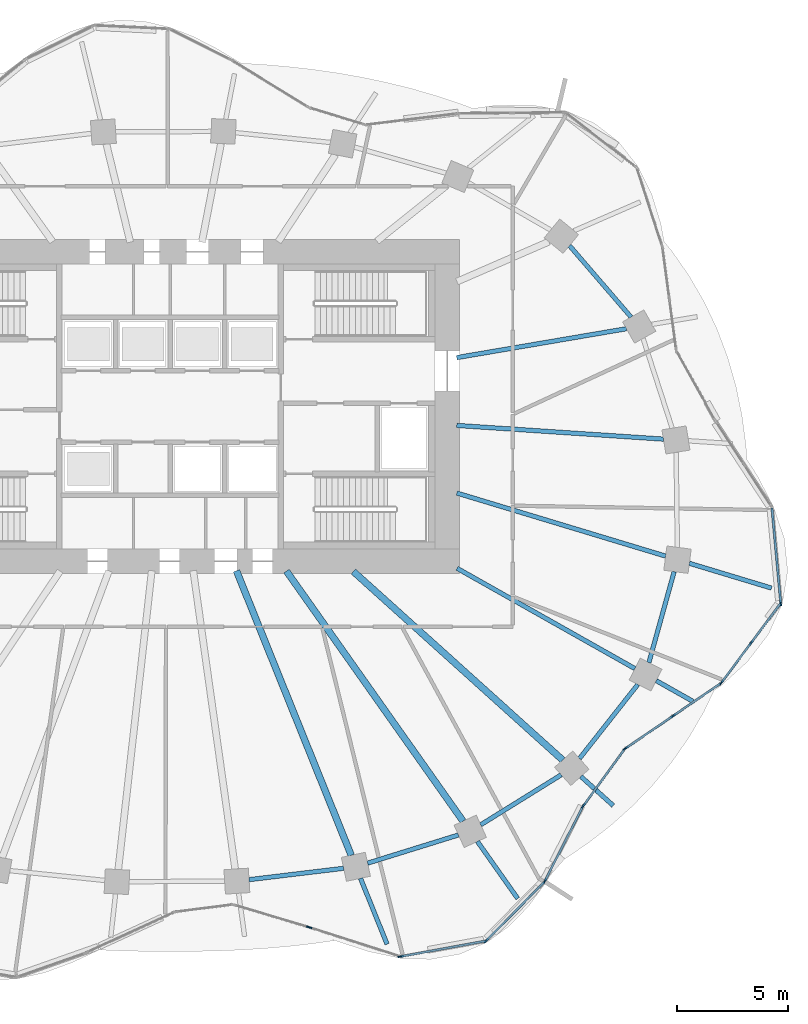
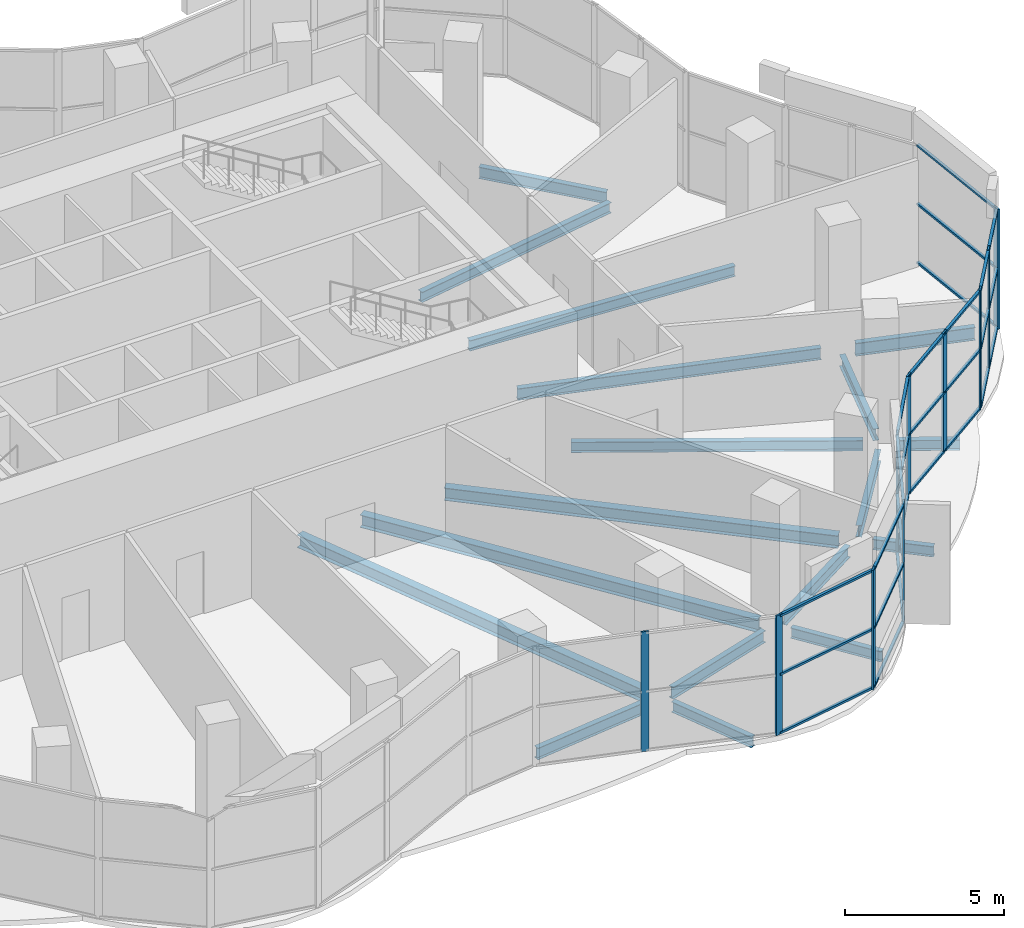
# One storey, part 5 of 16: 37 members, 18 beams, 8 elements without a shape of their own.
"""IFC4 building model written with IfcOpenShell, lengths in metres."""

import ifcopenshell
import ifcopenshell.guid

model = None  # the IFC model being written
_history = None  # IfcOwnerHistory: only IFC2X3 demands one
_inside = {}  # id of a spatial element -> (the spatial element, [elements in it])
_under = {}  # id of a project, library or spatial element -> (it, [spatial elements below it])
_declared = {}  # id of a project -> (the project, [libraries it declares])
_typed = {}  # id of a type object -> (the type object, [elements of that type])
_made_of = {}  # id of a material, layer set ... -> (it, [elements and type objects made of it])


def new_model(schema):
    """Start an empty IFC model of exactly this schema.

    Asked for "IFC4X3", IfcOpenShell would pick the latest addendum, in which some entities
    have other attributes; the version numbers below select the first issue.
    IFC2X3 requires an IfcOwnerHistory on every rooted entity: one is made here for all.
    """
    global model, _history
    if schema == "IFC4X3":
        model = ifcopenshell.file(schema_version=(4, 3, 0, 0))
    else:
        model = ifcopenshell.file(schema=schema)
    _inside.clear()
    _under.clear()
    _declared.clear()
    _typed.clear()
    _made_of.clear()
    _history = None
    if model.schema == "IFC2X3":
        org = make("IfcOrganization", Name="unknown")
        user = make(
            "IfcPersonAndOrganization",
            ThePerson=make("IfcPerson", FamilyName="unknown"),
            TheOrganization=org,
        )
        app = make(
            "IfcApplication",
            ApplicationDeveloper=org,
            Version="unknown",
            ApplicationFullName="unknown",
            ApplicationIdentifier="unknown",
        )
        _history = make(
            "IfcOwnerHistory",
            OwningUser=user,
            OwningApplication=app,
            ChangeAction="ADDED",
            CreationDate=0,
        )
    return model


def make(cls, **values):
    """One entity of the class cls with the attributes given. An attribute that is None is left unset."""
    return model.create_entity(
        cls, **{name: value for name, value in values.items() if value is not None}
    )


def rooted(cls, **values):
    """An entity with a GlobalId (a new one), such as an element, a storey or a relation."""
    return make(cls, GlobalId=ifcopenshell.guid.new(), OwnerHistory=_history, **values)


def si_unit(unit_type, name, prefix=None):
    """IfcSIUnit, for example si_unit("LENGTHUNIT", "METRE", prefix="MILLI")."""
    return make("IfcSIUnit", UnitType=unit_type, Prefix=prefix, Name=name)


def assignment(units):
    """IfcUnitAssignment: the units of a project."""
    return None if units is None else make("IfcUnitAssignment", Units=units)


def point(xyz):
    """IfcCartesianPoint."""
    return None if xyz is None else make("IfcCartesianPoint", Coordinates=xyz)


def direction(xyz):
    """IfcDirection."""
    return None if xyz is None else make("IfcDirection", DirectionRatios=xyz)


def frame(location, z_axis=None, x_axis=None):
    """IfcAxis2Placement3D, a coordinate frame: its origin and axes. An axis left out is left unset."""
    return make(
        "IfcAxis2Placement3D",
        Location=point(location),
        Axis=direction(z_axis),
        RefDirection=direction(x_axis),
    )


def frame_2d(location, x_axis=None):
    """IfcAxis2Placement2D, a coordinate frame in the plane: its origin and x axis."""
    return make(
        "IfcAxis2Placement2D", Location=point(location), RefDirection=direction(x_axis)
    )


def origin():
    """The frame at (0, 0, 0) with its axes left unset."""
    return frame((0.0, 0.0, 0.0))


def origin_2d():
    """The frame at (0, 0) in the plane with its x axis left unset."""
    return frame_2d((0.0, 0.0))


def place(relative_to, where):
    """IfcLocalPlacement: puts the frame where relative to a parent placement (None: the world)."""
    return make(
        "IfcLocalPlacement", PlacementRelTo=relative_to, RelativePlacement=where
    )


def context(
    kind, dimensions, precision=None, world=None, true_north=None, identifier=None
):
    """IfcGeometricRepresentationContext, for example the 3D "Model" context."""
    return make(
        "IfcGeometricRepresentationContext",
        ContextIdentifier=identifier,
        ContextType=kind,
        CoordinateSpaceDimension=dimensions,
        Precision=precision,
        WorldCoordinateSystem=world,
        TrueNorth=true_north,
    )


def subcontext(parent, identifier, kind, view, scale=None):
    """IfcGeometricRepresentationSubContext, for example "Body" below "Model"."""
    return make(
        "IfcGeometricRepresentationSubContext",
        ContextIdentifier=identifier,
        ContextType=kind,
        ParentContext=parent,
        TargetScale=scale,
        TargetView=view,
    )


def project(units=None, contexts=None):
    """IfcProject with its units and contexts."""
    return rooted(
        "IfcProject",
        Name="project",
        RepresentationContexts=contexts,
        UnitsInContext=assignment(units),
    )


def spatial(cls, under=None, at=None, **own):
    """A site, building, storey or space (cls), placed at a placement, below another one or the project."""
    s = rooted(cls, ObjectPlacement=at, **own)
    if under is not None:
        _under.setdefault(under.id(), (under, []))[1].append(s)
    return s


def profile(cls, at=None, kind="AREA", **sizes):
    """A parametric profile (cls). Its sizes go by their IFC names, for example OverallWidth=200.0."""
    return make(cls, ProfileType=kind, Position=at, **sizes)


def rectangle(**sizes):
    """IfcRectangleProfileDef."""
    return profile("IfcRectangleProfileDef", **sizes)


def i_section(**sizes):
    """IfcIShapeProfileDef."""
    return profile("IfcIShapeProfileDef", **sizes)


def extrude(swept, where, along, depth):
    """IfcExtrudedAreaSolid: the profile swept, set in the frame where, extruded along a direction by depth."""
    return make(
        "IfcExtrudedAreaSolid",
        SweptArea=swept,
        Position=where,
        ExtrudedDirection=direction(along),
        Depth=depth,
    )


def shape(context_of_items, identifier, shape_type, items):
    """IfcShapeRepresentation: the items that make up one representation, for example the "Body"."""
    return make(
        "IfcShapeRepresentation",
        ContextOfItems=context_of_items,
        RepresentationIdentifier=identifier,
        RepresentationType=shape_type,
        Items=items,
    )


def material(Name=None, Category=None):
    """IfcMaterial."""
    return make("IfcMaterial", Name=Name, Category=Category)


def material_profile(
    of_material, cross_section, Name=None, Category=None, Priority=None
):
    """IfcMaterialProfile: a cross section and its material."""
    return make(
        "IfcMaterialProfile",
        Name=Name,
        Material=of_material,
        Profile=cross_section,
        Priority=Priority,
        Category=Category,
    )


def profile_set(profiles, Name=None, composite=None):
    """IfcMaterialProfileSet."""
    return make(
        "IfcMaterialProfileSet",
        Name=Name,
        MaterialProfiles=profiles,
        CompositeProfile=composite,
    )


def made_of(thing, what):
    """Note that an element or type object is made of a material, layer set ...; save() writes the relation."""
    if what is not None:
        _made_of.setdefault(what.id(), (what, []))[1].append(thing)
    return thing


def type_object(cls, material=None, **own):
    """A type object (cls), such as IfcWallType, which elements share."""
    return made_of(rooted(cls, **own), material)


def element(
    cls,
    number,
    at=None,
    inside=None,
    cuts=None,
    type_object=None,
    material=None,
    context=None,
    identifier="Body",
    shape_type=None,
    held_by="IfcProductDefinitionShape",
    body=None,
    shapes=None,
    **own,
):
    """One element of the class cls, such as IfcWall. Its Tag is "e" and its number.

    at: its placement. inside: the storey or other place that contains it. cuts: it is an
    opening in that element (IfcRelVoidsElement). A single representation is given by context,
    identifier, shape_type and body (its items); several are given by shapes. held_by: the class
    of the entity that holds the representations. save() writes the other relations.
    """
    e = rooted(cls, Tag="e%d" % number, ObjectPlacement=at, **own)
    if body is not None:
        shapes = [shape(context, identifier, shape_type, body)]
    if shapes is not None:
        e.Representation = make(held_by, Representations=shapes)
    if inside is not None:
        _inside.setdefault(inside.id(), (inside, []))[1].append(e)
    if cuts is not None:
        rooted(
            "IfcRelVoidsElement", RelatingBuildingElement=cuts, RelatedOpeningElement=e
        )
    if type_object is not None:
        _typed.setdefault(type_object.id(), (type_object, []))[1].append(e)
    return made_of(e, material)


def aggregate(whole, parts):
    """IfcRelAggregates: a whole, such as a stair, and the parts it consists of."""
    return rooted("IfcRelAggregates", RelatingObject=whole, RelatedObjects=parts)


def save(model, path):
    """Write the relations noted so far, then the file.

    IfcRelAggregates (storeys below a building ...), IfcRelContainedInSpatialStructure (elements
    in a storey), IfcRelDefinesByType, IfcRelAssociatesMaterial and IfcRelDeclares: one each for
    every whole, place, type object, material and project.
    """
    for whole, parts in _under.values():
        aggregate(whole, parts)
    for where, things in _inside.values():
        rooted(
            "IfcRelContainedInSpatialStructure",
            RelatedElements=things,
            RelatingStructure=where,
        )
    for kind, things in _typed.values():
        rooted("IfcRelDefinesByType", RelatedObjects=things, RelatingType=kind)
    for what, things in _made_of.values():
        rooted("IfcRelAssociatesMaterial", RelatedObjects=things, RelatingMaterial=what)
    for by, libraries in _declared.values():
        rooted("IfcRelDeclares", RelatingContext=by, RelatedDefinitions=libraries)
    model.write(path)


model = new_model("IFC4")

# Units and contexts
model_context = context("Model", 3, precision=1e-05, world=origin(), true_north=direction((0.0, 1.0)))
body_context = subcontext(model_context, "Body", "Model", "MODEL_VIEW")
ifc_project = project(units=[si_unit("LENGTHUNIT", "METRE"), si_unit("AREAUNIT", "SQUARE_METRE"), si_unit("VOLUMEUNIT", "CUBIC_METRE"), si_unit("PLANEANGLEUNIT", "RADIAN"), si_unit("MASSUNIT", "GRAM", prefix="KILO")], contexts=[model_context])

# Site, building, storey
site_placement = place(None, origin())
site = spatial("IfcSite", under=ifc_project, at=site_placement, CompositionType="ELEMENT")
building_placement = place(site_placement, origin())
building = spatial("IfcBuilding", under=site, at=building_placement, Name="Rubra Terraces Tower", CompositionType="ELEMENT")
storey_placement = place(building_placement, frame((0.0, 0.0, 125.699951171875)))
storey = spatial("IfcBuildingStorey", under=building, at=storey_placement, Name="L30", CompositionType="ELEMENT", Elevation=125.699951171875)

# Beams
ifc_material_1 = material(Name="Steel Q355B", Category="steel")
ifc_material_profile_1 = material_profile(ifc_material_1, i_section(OverallWidth=0.199951171875, OverallDepth=0.39990234375, WebThickness=0.008056640625, FlangeThickness=0.012939453125, at=origin_2d()), Name="HN 400x200x8x13")
ifc_profile_set_1 = profile_set([ifc_material_profile_1], Name="Steel Q355B")
beam_type_1 = type_object("IfcBeamType", Name="CANTILEVER BEAM HN 400x200x8x13", PredefinedType="BEAM", material=ifc_profile_set_1)
beam_1_placement = place(storey_placement, frame((8.555908203125, -16.7099609375, -0.39990234375), z_axis=(0.374225202203, -0.927337855388, 0.0), x_axis=(0.927337855388, 0.374225202203, 0.0)))
element("IfcBeam", 1, at=beam_1_placement, inside=storey, type_object=beam_type_1, Name="beam-L30-cant-20", PredefinedType="BEAM", context=body_context, shape_type="SweptSolid", body=[
    extrude(i_section(OverallWidth=0.199951171875, OverallDepth=0.39990234375, WebThickness=0.008056640625, FlangeThickness=0.012939453125, at=origin_2d()), origin(), (0.0, 0.0, 1.0), 3.19091796875),
])
beam_2_placement = place(storey_placement, frame((13.81005859375, -15.052978515625, -0.39990234375), z_axis=(0.576664894768, -0.816980782603, 0.0), x_axis=(0.816980782603, 0.576664894768, 0.0)))
element("IfcBeam", 2, at=beam_2_placement, inside=storey, type_object=beam_type_1, Name="beam-L30-cant-21", PredefinedType="BEAM", context=body_context, shape_type="SweptSolid", body=[
    extrude(i_section(OverallWidth=0.199951171875, OverallDepth=0.39990234375, WebThickness=0.008056640625, FlangeThickness=0.012939453125, at=origin_2d()), origin(), (0.0, 0.0, 1.0), 3.142333984375),
])
beam_3_placement = place(storey_placement, frame((18.4619140625, -12.133056640625, -0.39990234375), z_axis=(0.742809594973, -0.669502730103, 0.0), x_axis=(0.669502730103, 0.742809594973, 0.0)))
element("IfcBeam", 3, at=beam_3_placement, inside=storey, type_object=beam_type_1, Name="beam-L30-cant-22", PredefinedType="BEAM", context=body_context, shape_type="SweptSolid", body=[
    extrude(i_section(OverallWidth=0.199951171875, OverallDepth=0.39990234375, WebThickness=0.008056640625, FlangeThickness=0.012939453125, at=origin_2d()), origin(), (0.0, 0.0, 1.0), 1.954833984375),
])
beam_4_placement = place(storey_placement, frame((21.846923828125, -7.824951171875, -0.39990234375), z_axis=(0.871008749607, -0.491267501579, 0.0), x_axis=(0.491267501579, 0.871008749607, 0.0)))
element("IfcBeam", 4, at=beam_4_placement, inside=storey, type_object=beam_type_1, Name="beam-L30-cant-23", PredefinedType="BEAM", context=body_context, shape_type="SweptSolid", body=[
    extrude(i_section(OverallWidth=0.199951171875, OverallDepth=0.39990234375, WebThickness=0.008056640625, FlangeThickness=0.012939453125, at=origin_2d()), origin(), (0.0, 0.0, 1.0), 1.946044921875),
])
ifc_material_profile_2 = material_profile(ifc_material_1, i_section(OverallWidth=0.198974609375, OverallDepth=0.49609375, WebThickness=0.009033203125, FlangeThickness=0.013916015625, at=origin_2d()), Name="HN 496x199x9x14")
ifc_profile_set_2 = profile_set([ifc_material_profile_2], Name="Steel Q355B")
beam_type_2 = type_object("IfcBeamType", Name="CANTILEVER BEAM HN 496x199x9x14", PredefinedType="BEAM", material=ifc_profile_set_2)
beam_5_placement = place(storey_placement, frame((23.3359375, -2.550048828125, -0.447998046875), z_axis=(0.957272539744, -0.289187283006, 0.0), x_axis=(0.289187283006, 0.957272539744, 0.0)))
element("IfcBeam", 5, at=beam_5_placement, inside=storey, type_object=beam_type_2, Name="beam-L30-cant-24", PredefinedType="BEAM", context=body_context, shape_type="SweptSolid", body=[
    extrude(i_section(OverallWidth=0.198974609375, OverallDepth=0.49609375, WebThickness=0.009033203125, FlangeThickness=0.013916015625, at=origin_2d()), origin(), (0.0, 0.0, 1.0), 3.85888671875),
])
ifc_material_profile_3 = material_profile(ifc_material_1, i_section(OverallWidth=0.300048828125, OverallDepth=0.48193359375, WebThickness=0.010986328125, FlangeThickness=0.014892578125, at=origin_2d()), Name="HM 482x300x11x15")
ifc_profile_set_3 = profile_set([ifc_material_profile_3], Name="Steel Q355B")
beam_type_3 = type_object("IfcBeamType", Name="FLOOR BEAM HM 482x300x11x15", PredefinedType="BEAM", material=ifc_profile_set_3)
beam_6_placement = place(storey_placement, frame((8.137939453125, -15.674072265625, -0.44091796875), z_axis=(-0.374072995757, 0.927399263449, 0.0), x_axis=(-0.927399263449, -0.374072995757, 0.0)))
element("IfcBeam", 6, at=beam_6_placement, inside=storey, type_object=beam_type_3, Name="beam-L30-floor-20", PredefinedType="BEAM", context=body_context, shape_type="SweptSolid", body=[
    extrude(i_section(OverallWidth=0.300048828125, OverallDepth=0.48193359375, WebThickness=0.010986328125, FlangeThickness=0.014892578125, at=origin_2d()), origin(), (0.0, 0.0, 1.0), 13.7861328125),
])
beam_7_placement = place(storey_placement, frame((13.1640625, -14.138916015625, -0.44091796875), z_axis=(-0.576885242087, 0.816825206187, 0.0), x_axis=(-0.816825206187, -0.576885242087, 0.0)))
element("IfcBeam", 7, at=beam_7_placement, inside=storey, type_object=beam_type_3, Name="beam-L30-floor-21", PredefinedType="BEAM", context=body_context, shape_type="SweptSolid", body=[
    extrude(i_section(OverallWidth=0.300048828125, OverallDepth=0.48193359375, WebThickness=0.010986328125, FlangeThickness=0.014892578125, at=origin_2d()), origin(), (0.0, 0.0, 1.0), 13.756591796875),
])
beam_8_placement = place(storey_placement, frame((17.639892578125, -11.39306640625, -0.44091796875), z_axis=(-0.742946892742, 0.669350367569, 0.0), x_axis=(-0.669350367569, -0.742946892742, 0.0)))
element("IfcBeam", 8, at=beam_8_placement, inside=storey, type_object=beam_type_3, Name="beam-L30-floor-22", PredefinedType="BEAM", context=body_context, shape_type="SweptSolid", body=[
    extrude(i_section(OverallWidth=0.300048828125, OverallDepth=0.48193359375, WebThickness=0.010986328125, FlangeThickness=0.014892578125, at=origin_2d()), origin(), (0.0, 0.0, 1.0), 12.65869140625),
])
ifc_material_profile_4 = material_profile(ifc_material_1, i_section(OverallWidth=0.199951171875, OverallDepth=0.39990234375, WebThickness=0.008056640625, FlangeThickness=0.012939453125, at=origin_2d()), Name="HN 400x200x8x13")
ifc_profile_set_4 = profile_set([ifc_material_profile_4], Name="Steel Q355B")
beam_type_4 = type_object("IfcBeamType", Name="FLOOR BEAM HN 400x200x8x13", PredefinedType="BEAM", material=ifc_profile_set_4)
beam_9_placement = place(storey_placement, frame((22.169921875, 3.030029296875, -0.39990234375), z_axis=(-0.997809110543, 0.0661587403, 0.0), x_axis=(-0.0661587403, -0.997809110543, 0.0)))
element("IfcBeam", 9, at=beam_9_placement, inside=storey, type_object=beam_type_4, Name="beam-L30-floor-01", PredefinedType="BEAM", context=body_context, shape_type="SweptSolid", body=[
    extrude(i_section(OverallWidth=0.199951171875, OverallDepth=0.39990234375, WebThickness=0.008056640625, FlangeThickness=0.012939453125, at=origin_2d()), origin(), (0.0, 0.0, 1.0), 9.310546875),
])
beam_10_placement = place(storey_placement, frame((20.5048828125, 7.991943359375, -0.39990234375), z_axis=(-0.985813612303, -0.167843742209, 0.0), x_axis=(0.167843742209, -0.985813612303, 0.0)))
element("IfcBeam", 10, at=beam_10_placement, inside=storey, type_object=beam_type_4, Name="beam-L30-floor-02", PredefinedType="BEAM", context=body_context, shape_type="SweptSolid", body=[
    extrude(i_section(OverallWidth=0.199951171875, OverallDepth=0.39990234375, WebThickness=0.008056640625, FlangeThickness=0.012939453125, at=origin_2d()), origin(), (0.0, 0.0, 1.0), 7.732421875),
])
beam_11_placement = place(storey_placement, frame((20.886962890625, -7.282958984375, -0.39990234375), z_axis=(-0.870988685804, 0.491303072656, 0.0), x_axis=(-0.491303072656, -0.870988685804, 0.0)))
element("IfcBeam", 11, at=beam_11_placement, inside=storey, type_object=beam_type_4, Name="beam-L30-floor-23", PredefinedType="BEAM", context=body_context, shape_type="SweptSolid", body=[
    extrude(i_section(OverallWidth=0.199951171875, OverallDepth=0.39990234375, WebThickness=0.008056640625, FlangeThickness=0.012939453125, at=origin_2d()), origin(), (0.0, 0.0, 1.0), 9.17578125),
])
ifc_material_profile_5 = material_profile(ifc_material_1, i_section(OverallWidth=0.198974609375, OverallDepth=0.446044921875, WebThickness=0.008056640625, FlangeThickness=0.011962890625, at=origin_2d()), Name="HN 446x199x8x12")
ifc_profile_set_5 = profile_set([ifc_material_profile_5], Name="Steel Q355B")
beam_type_5 = type_object("IfcBeamType", Name="FLOOR BEAM HN 446x199x8x12", PredefinedType="BEAM", material=ifc_profile_set_5)
beam_12_placement = place(storey_placement, frame((22.26806640625, -2.22802734375, -0.4228515625), z_axis=(-0.957261634756, 0.289223378419, 0.0), x_axis=(-0.289223378419, -0.957261634756, 0.0)))
element("IfcBeam", 12, at=beam_12_placement, inside=storey, type_object=beam_type_5, Name="beam-L30-floor-24", PredefinedType="BEAM", context=body_context, shape_type="SweptSolid", body=[
    extrude(i_section(OverallWidth=0.198974609375, OverallDepth=0.446044921875, WebThickness=0.008056640625, FlangeThickness=0.011962890625, at=origin_2d()), origin(), (0.0, 0.0, 1.0), 9.802001953125),
])
ifc_material_profile_6 = material_profile(ifc_material_1, i_section(OverallWidth=0.198974609375, OverallDepth=0.446044921875, WebThickness=0.008056640625, FlangeThickness=0.011962890625, at=origin_2d()), Name="HN 446x199x8x12")
ifc_profile_set_6 = profile_set([ifc_material_profile_6], Name="Steel Q355B")
beam_type_6 = type_object("IfcBeamType", Name="SPANDREL BEAM HN 446x199x8x12", PredefinedType="SPANDREL", material=ifc_profile_set_6)
beam_13_placement = place(storey_placement, frame((20.715087890625, 8.514892578125, -0.4228515625), z_axis=(-0.65255344008, 0.757742705567, 0.0), x_axis=(-0.757742705567, -0.65255344008, 0.0)))
element("IfcBeam", 13, at=beam_13_placement, inside=storey, type_object=beam_type_6, Name="beam-L30-spandrel-02", PredefinedType="SPANDREL", context=body_context, shape_type="SweptSolid", body=[
    extrude(i_section(OverallWidth=0.198974609375, OverallDepth=0.446044921875, WebThickness=0.008056640625, FlangeThickness=0.011962890625, at=origin_2d()), origin(), (0.0, 0.0, 1.0), 4.240478515625),
])
beam_14_placement = place(storey_placement, frame((3.5458984375, -16.77001953125, -0.4228515625), z_axis=(0.992833084949, 0.119509269223, 0.0), x_axis=(-0.119509269223, 0.992833084949, 0.0)))
element("IfcBeam", 14, at=beam_14_placement, inside=storey, type_object=beam_type_6, Name="beam-L30-spandrel-19", PredefinedType="SPANDREL", context=body_context, shape_type="SweptSolid", body=[
    extrude(i_section(OverallWidth=0.198974609375, OverallDepth=0.446044921875, WebThickness=0.008056640625, FlangeThickness=0.011962890625, at=origin_2d()), origin(), (0.0, 0.0, 1.0), 4.283935546875),
])
beam_15_placement = place(storey_placement, frame((8.8740234375, -16.028076171875, -0.4228515625), z_axis=(0.955002801089, 0.296596780008, 0.0), x_axis=(-0.296596780008, 0.955002801089, 0.0)))
element("IfcBeam", 15, at=beam_15_placement, inside=storey, type_object=beam_type_6, Name="beam-L30-spandrel-20", PredefinedType="SPANDREL", context=body_context, shape_type="SweptSolid", body=[
    extrude(i_section(OverallWidth=0.198974609375, OverallDepth=0.446044921875, WebThickness=0.008056640625, FlangeThickness=0.011962890625, at=origin_2d()), origin(), (0.0, 0.0, 1.0), 4.275390625),
])
beam_16_placement = place(storey_placement, frame((13.9580078125, -14.303955078125, -0.4228515625), z_axis=(0.849549830498, 0.527508374816, 0.0), x_axis=(-0.527508374816, 0.849549830498, 0.0)))
element("IfcBeam", 16, at=beam_16_placement, inside=storey, type_object=beam_type_6, Name="beam-L30-spandrel-21", PredefinedType="SPANDREL", context=body_context, shape_type="SweptSolid", body=[
    extrude(i_section(OverallWidth=0.198974609375, OverallDepth=0.446044921875, WebThickness=0.008056640625, FlangeThickness=0.011962890625, at=origin_2d()), origin(), (0.0, 0.0, 1.0), 4.259765625),
])
beam_17_placement = place(storey_placement, frame((18.39697265625, -11.323974609375, -0.4228515625), z_axis=(0.618917461688, 0.785456030353, 0.0), x_axis=(-0.785456030353, 0.618917461688, 0.0)))
element("IfcBeam", 17, at=beam_17_placement, inside=storey, type_object=beam_type_6, Name="beam-L30-spandrel-22", PredefinedType="SPANDREL", context=body_context, shape_type="SweptSolid", body=[
    extrude(i_section(OverallWidth=0.198974609375, OverallDepth=0.446044921875, WebThickness=0.008056640625, FlangeThickness=0.011962890625, at=origin_2d()), origin(), (0.0, 0.0, 1.0), 4.238037109375),
])
beam_18_placement = place(storey_placement, frame((21.51708984375, -7.013916015625, -0.4228515625), z_axis=(0.267626064819, 0.96352285361, 0.0), x_axis=(-0.96352285361, 0.267626064819, 0.0)))
element("IfcBeam", 18, at=beam_18_placement, inside=storey, type_object=beam_type_6, Name="beam-L30-spandrel-23", PredefinedType="SPANDREL", context=body_context, shape_type="SweptSolid", body=[
    extrude(i_section(OverallWidth=0.198974609375, OverallDepth=0.446044921875, WebThickness=0.008056640625, FlangeThickness=0.011962890625, at=origin_2d()), origin(), (0.0, 0.0, 1.0), 4.24462890625),
])

# Curtain wall, member
ifc_material_2 = material(Name="Aluminium and glass", Category="aluminium")
curtain_wall_type = type_object("IfcCurtainWallType", Name="Curtain wall Sky lobby glazing", PredefinedType="NOTDEFINED", material=ifc_material_2)
curtain_wall_1_placement = place(storey_placement, origin())
curtain_wall_1 = element("IfcCurtainWall", 19, at=curtain_wall_1_placement, inside=storey, type_object=curtain_wall_type, Name="L30 glazing bay 33", PredefinedType="NOTDEFINED")
ifc_material_3 = material(Name="Aluminium, anodised dark grey", Category="aluminium")
ifc_material_profile_7 = material_profile(ifc_material_3, rectangle(XDim=0.06005859375, YDim=0.25, at=origin_2d()), Name="AL 60x250")
ifc_profile_set_7 = profile_set([ifc_material_profile_7], Name="Aluminium, anodised dark grey")
member_type_1 = type_object("IfcMemberType", Name="Sky lobby glazing mullion 60 x 250", PredefinedType="MULLION", material=ifc_profile_set_7)
member_1_placement = place(storey_placement, frame((6.2490234375, -18.9111328125, 0.0), z_axis=(0.0, 0.0, 1.0), x_axis=(0.305279824524, 0.952262688935, 0.0)))
member_1 = element("IfcMember", 20, at=member_1_placement, type_object=member_type_1, Name="CW2 mullion 1", PredefinedType="MULLION", context=body_context, shape_type="SweptSolid", body=[
    extrude(rectangle(XDim=0.06005859375, YDim=0.25, at=origin_2d()), origin(), (0.0, 0.0, 1.0), 4.60009765625),
])
aggregate(curtain_wall_1, [member_1])

curtain_wall_2_placement = place(storey_placement, origin())
curtain_wall_2 = element("IfcCurtainWall", 21, at=curtain_wall_2_placement, inside=storey, type_object=curtain_wall_type, Name="L30 glazing bay 34", PredefinedType="NOTDEFINED")
member_2_placement = place(storey_placement, frame((10.361083984375, -20.223876953125, 0.0), z_axis=(0.0, 0.0, 1.0), x_axis=(-0.180087235256, 0.983650643114, 0.0)))
member_2 = element("IfcMember", 22, at=member_2_placement, type_object=member_type_1, Name="CW2 mullion 1", PredefinedType="MULLION", context=body_context, shape_type="SweptSolid", body=[
    extrude(rectangle(XDim=0.06005859375, YDim=0.25, at=origin_2d()), origin(), (0.0, 0.0, 1.0), 4.60009765625),
])

curtain_wall_3_placement = place(storey_placement, origin())
curtain_wall_3 = element("IfcCurtainWall", 23, at=curtain_wall_3_placement, inside=storey, type_object=curtain_wall_type, Name="L30 glazing bay 35", PredefinedType="NOTDEFINED")
member_3_placement = place(storey_placement, frame((14.20166015625, -19.516845703125, 0.0), z_axis=(0.0, 0.0, 1.0), x_axis=(-0.711711478531, 0.702471900738, 0.0)))
member_3 = element("IfcMember", 24, at=member_3_placement, type_object=member_type_1, Name="CW2 mullion 1", PredefinedType="MULLION", context=body_context, shape_type="SweptSolid", body=[
    extrude(rectangle(XDim=0.06005859375, YDim=0.25, at=origin_2d()), origin(), (0.0, 0.0, 1.0), 4.60009765625),
])

curtain_wall_4_placement = place(storey_placement, origin())
curtain_wall_4 = element("IfcCurtainWall", 25, at=curtain_wall_4_placement, inside=storey, type_object=curtain_wall_type, Name="L30 glazing bay 36", PredefinedType="NOTDEFINED")
member_4_placement = place(storey_placement, frame((16.842529296875, -16.832763671875, 0.0), z_axis=(0.0, 0.0, 1.0), x_axis=(-0.891333058554, 0.453349069403, 0.0)))
member_4 = element("IfcMember", 26, at=member_4_placement, type_object=member_type_1, Name="CW2 mullion 1", PredefinedType="MULLION", context=body_context, shape_type="SweptSolid", body=[
    extrude(rectangle(XDim=0.06005859375, YDim=0.25, at=origin_2d()), origin(), (0.0, 0.0, 1.0), 4.60009765625),
])

curtain_wall_5_placement = place(storey_placement, origin())
curtain_wall_5 = element("IfcCurtainWall", 27, at=curtain_wall_5_placement, inside=storey, type_object=curtain_wall_type, Name="L30 glazing bay 37", PredefinedType="NOTDEFINED")
member_5_placement = place(storey_placement, frame((18.570556640625, -13.44873046875, 0.0), z_axis=(0.0, 0.0, 1.0), x_axis=(-0.808385376697, 0.588653618644, 0.0)))
member_5 = element("IfcMember", 28, at=member_5_placement, type_object=member_type_1, Name="CW2 mullion 1", PredefinedType="MULLION", context=body_context, shape_type="SweptSolid", body=[
    extrude(rectangle(XDim=0.06005859375, YDim=0.25, at=origin_2d()), origin(), (0.0, 0.0, 1.0), 4.60009765625),
])

# Curtain wall, members
curtain_wall_6_placement = place(storey_placement, origin())
curtain_wall_6 = element("IfcCurtainWall", 29, at=curtain_wall_6_placement, inside=storey, type_object=curtain_wall_type, Name="L30 glazing bay 38", PredefinedType="NOTDEFINED")
member_6_placement = place(storey_placement, frame((20.468017578125, -10.8671875, 0.0), z_axis=(0.0, 0.0, 1.0), x_axis=(-0.564200033585, 0.825638130238, 0.0)))
member_6 = element("IfcMember", 30, at=member_6_placement, type_object=member_type_1, Name="CW2 mullion 1", PredefinedType="MULLION", context=body_context, shape_type="SweptSolid", body=[
    extrude(rectangle(XDim=0.06005859375, YDim=0.25, at=origin_2d()), origin(), (0.0, 0.0, 1.0), 4.60009765625),
])
member_7_placement = place(storey_placement, frame((22.60888671875, -9.404296875, 0.0), z_axis=(0.0, 0.0, 1.0), x_axis=(-0.564200033585, 0.825638130238, 0.0)))
member_7 = element("IfcMember", 31, at=member_7_placement, type_object=member_type_1, Name="CW2 mullion 2", PredefinedType="MULLION", context=body_context, shape_type="SweptSolid", body=[
    extrude(rectangle(XDim=0.06005859375, YDim=0.25, at=origin_2d()), origin(), (0.0, 0.0, 1.0), 4.60009765625),
])

curtain_wall_7_placement = place(storey_placement, origin())
curtain_wall_7 = element("IfcCurtainWall", 32, at=curtain_wall_7_placement, inside=storey, type_object=curtain_wall_type, Name="L30 glazing bay 39", PredefinedType="NOTDEFINED")
member_8_placement = place(storey_placement, frame((24.77490234375, -7.917236328125, 0.0), z_axis=(0.0, 0.0, 1.0), x_axis=(-0.801845235827, 0.597531771357, 0.0)))
member_8 = element("IfcMember", 33, at=member_8_placement, type_object=member_type_1, Name="CW2 mullion 1", PredefinedType="MULLION", context=body_context, shape_type="SweptSolid", body=[
    extrude(rectangle(XDim=0.06005859375, YDim=0.25, at=origin_2d()), origin(), (0.0, 0.0, 1.0), 4.60009765625),
])
member_9_placement = place(storey_placement, frame((26.1083984375, -6.127685546875, 0.0), z_axis=(0.0, 0.0, 1.0), x_axis=(-0.801845235827, 0.597531771357, 0.0)))
member_9 = element("IfcMember", 34, at=member_9_placement, type_object=member_type_1, Name="CW2 mullion 2", PredefinedType="MULLION", context=body_context, shape_type="SweptSolid", body=[
    extrude(rectangle(XDim=0.06005859375, YDim=0.25, at=origin_2d()), origin(), (0.0, 0.0, 1.0), 4.60009765625),
])

# Curtain wall, member
curtain_wall_8_placement = place(storey_placement, origin())
curtain_wall_8 = element("IfcCurtainWall", 35, at=curtain_wall_8_placement, inside=storey, type_object=curtain_wall_type, Name="L30 glazing bay 40", PredefinedType="NOTDEFINED")
member_10_placement = place(storey_placement, frame((27.442626953125, -4.3359375, 0.0), z_axis=(0.0, 0.0, 1.0), x_axis=(-0.995753480476, -0.092059796433, 0.0)))
member_10 = element("IfcMember", 36, at=member_10_placement, type_object=member_type_1, Name="CW2 mullion 1", PredefinedType="MULLION", context=body_context, shape_type="SweptSolid", body=[
    extrude(rectangle(XDim=0.06005859375, YDim=0.25, at=origin_2d()), origin(), (0.0, 0.0, 1.0), 4.60009765625),
])

# Member
ifc_material_profile_8 = material_profile(ifc_material_3, rectangle(XDim=0.10009765625, YDim=0.080078125, at=origin_2d()), Name="AL 100x80")
ifc_profile_set_8 = profile_set([ifc_material_profile_8], Name="Aluminium, anodised dark grey")
member_type_2 = type_object("IfcMemberType", Name="Sky lobby glazing transom 100 x 80", PredefinedType="USERDEFINED", material=ifc_profile_set_8)
member_11_placement = place(storey_placement, frame((10.390625, -20.218505859375, 0.050048828125), z_axis=(0.98364701095, 0.18010707329, 0.0), x_axis=(-0.18010707329, 0.98364701095, 0.0)))
member_11 = element("IfcMember", 37, at=member_11_placement, type_object=member_type_2, Name="CW2 transom 1.1", ObjectType="TRANSOM", PredefinedType="USERDEFINED", context=body_context, shape_type="SweptSolid", body=[
    extrude(rectangle(XDim=0.10009765625, YDim=0.080078125, at=origin_2d()), origin(), (0.0, 0.0, 1.0), 3.83349609375),
])

member_12_placement = place(storey_placement, frame((10.390625, -20.218505859375, 2.300048828125), z_axis=(0.98364701095, 0.18010707329, 0.0), x_axis=(-0.18010707329, 0.98364701095, 0.0)))
member_12 = element("IfcMember", 38, at=member_12_placement, type_object=member_type_2, Name="CW2 transom 1.2", ObjectType="TRANSOM", PredefinedType="USERDEFINED", context=body_context, shape_type="SweptSolid", body=[
    extrude(rectangle(XDim=0.10009765625, YDim=0.080078125, at=origin_2d()), origin(), (0.0, 0.0, 1.0), 3.83349609375),
])

member_13_placement = place(storey_placement, frame((10.390625, -20.218505859375, 4.550048828125), z_axis=(0.98364701095, 0.18010707329, 0.0), x_axis=(-0.18010707329, 0.98364701095, 0.0)))
member_13 = element("IfcMember", 39, at=member_13_placement, type_object=member_type_2, Name="CW2 transom 1.3", ObjectType="TRANSOM", PredefinedType="USERDEFINED", context=body_context, shape_type="SweptSolid", body=[
    extrude(rectangle(XDim=0.10009765625, YDim=0.080078125, at=origin_2d()), origin(), (0.0, 0.0, 1.0), 3.83349609375),
])

aggregate(curtain_wall_2, [member_2, member_11, member_12, member_13])

member_14_placement = place(storey_placement, frame((14.22265625, -19.49560546875, 0.050048828125), z_axis=(0.702499498242, 0.711684238247, 0.0), x_axis=(-0.711684238247, 0.702499498242, 0.0)))
member_14 = element("IfcMember", 40, at=member_14_placement, type_object=member_type_2, Name="CW2 transom 1.1", ObjectType="TRANSOM", PredefinedType="USERDEFINED", context=body_context, shape_type="SweptSolid", body=[
    extrude(rectangle(XDim=0.10009765625, YDim=0.080078125, at=origin_2d()), origin(), (0.0, 0.0, 1.0), 3.668212890625),
])

member_15_placement = place(storey_placement, frame((14.22265625, -19.49560546875, 2.300048828125), z_axis=(0.702499498242, 0.711684238247, 0.0), x_axis=(-0.711684238247, 0.702499498242, 0.0)))
member_15 = element("IfcMember", 41, at=member_15_placement, type_object=member_type_2, Name="CW2 transom 1.2", ObjectType="TRANSOM", PredefinedType="USERDEFINED", context=body_context, shape_type="SweptSolid", body=[
    extrude(rectangle(XDim=0.10009765625, YDim=0.080078125, at=origin_2d()), origin(), (0.0, 0.0, 1.0), 3.668212890625),
])

member_16_placement = place(storey_placement, frame((14.22265625, -19.49560546875, 4.550048828125), z_axis=(0.702499498242, 0.711684238247, 0.0), x_axis=(-0.711684238247, 0.702499498242, 0.0)))
member_16 = element("IfcMember", 42, at=member_16_placement, type_object=member_type_2, Name="CW2 transom 1.3", ObjectType="TRANSOM", PredefinedType="USERDEFINED", context=body_context, shape_type="SweptSolid", body=[
    extrude(rectangle(XDim=0.10009765625, YDim=0.080078125, at=origin_2d()), origin(), (0.0, 0.0, 1.0), 3.668212890625),
])

aggregate(curtain_wall_3, [member_3, member_14, member_15, member_16])

member_17_placement = place(storey_placement, frame((16.856201171875, -16.805908203125, 0.050048828125), z_axis=(0.453353345432, 0.891330883671, 0.0), x_axis=(-0.891330883671, 0.453353345432, 0.0)))
member_17 = element("IfcMember", 43, at=member_17_placement, type_object=member_type_2, Name="CW2 transom 1.1", ObjectType="TRANSOM", PredefinedType="USERDEFINED", context=body_context, shape_type="SweptSolid", body=[
    extrude(rectangle(XDim=0.10009765625, YDim=0.080078125, at=origin_2d()), origin(), (0.0, 0.0, 1.0), 3.66796875),
])

member_18_placement = place(storey_placement, frame((16.856201171875, -16.805908203125, 2.300048828125), z_axis=(0.453353345432, 0.891330883671, 0.0), x_axis=(-0.891330883671, 0.453353345432, 0.0)))
member_18 = element("IfcMember", 44, at=member_18_placement, type_object=member_type_2, Name="CW2 transom 1.2", ObjectType="TRANSOM", PredefinedType="USERDEFINED", context=body_context, shape_type="SweptSolid", body=[
    extrude(rectangle(XDim=0.10009765625, YDim=0.080078125, at=origin_2d()), origin(), (0.0, 0.0, 1.0), 3.66796875),
])

member_19_placement = place(storey_placement, frame((16.856201171875, -16.805908203125, 4.550048828125), z_axis=(0.453353345432, 0.891330883671, 0.0), x_axis=(-0.891330883671, 0.453353345432, 0.0)))
member_19 = element("IfcMember", 45, at=member_19_placement, type_object=member_type_2, Name="CW2 transom 1.3", ObjectType="TRANSOM", PredefinedType="USERDEFINED", context=body_context, shape_type="SweptSolid", body=[
    extrude(rectangle(XDim=0.10009765625, YDim=0.080078125, at=origin_2d()), origin(), (0.0, 0.0, 1.0), 3.66796875),
])

aggregate(curtain_wall_4, [member_4, member_17, member_18, member_19])

member_20_placement = place(storey_placement, frame((18.588134765625, -13.42431640625, 0.050048828125), z_axis=(0.588664569768, 0.808377402146, 0.0), x_axis=(-0.808377402146, 0.588664569768, 0.0)))
member_20 = element("IfcMember", 46, at=member_20_placement, type_object=member_type_2, Name="CW2 transom 1.1", ObjectType="TRANSOM", PredefinedType="USERDEFINED", context=body_context, shape_type="SweptSolid", body=[
    extrude(rectangle(XDim=0.10009765625, YDim=0.080078125, at=origin_2d()), origin(), (0.0, 0.0, 1.0), 3.0625),
])

member_21_placement = place(storey_placement, frame((18.588134765625, -13.42431640625, 2.300048828125), z_axis=(0.588664569768, 0.808377402146, 0.0), x_axis=(-0.808377402146, 0.588664569768, 0.0)))
member_21 = element("IfcMember", 47, at=member_21_placement, type_object=member_type_2, Name="CW2 transom 1.2", ObjectType="TRANSOM", PredefinedType="USERDEFINED", context=body_context, shape_type="SweptSolid", body=[
    extrude(rectangle(XDim=0.10009765625, YDim=0.080078125, at=origin_2d()), origin(), (0.0, 0.0, 1.0), 3.0625),
])

member_22_placement = place(storey_placement, frame((18.588134765625, -13.42431640625, 4.550048828125), z_axis=(0.588664569768, 0.808377402146, 0.0), x_axis=(-0.808377402146, 0.588664569768, 0.0)))
member_22 = element("IfcMember", 48, at=member_22_placement, type_object=member_type_2, Name="CW2 transom 1.3", ObjectType="TRANSOM", PredefinedType="USERDEFINED", context=body_context, shape_type="SweptSolid", body=[
    extrude(rectangle(XDim=0.10009765625, YDim=0.080078125, at=origin_2d()), origin(), (0.0, 0.0, 1.0), 3.0625),
])

aggregate(curtain_wall_5, [member_5, member_20, member_21, member_22])

member_23_placement = place(storey_placement, frame((20.49267578125, -10.850341796875, 0.050048828125), z_axis=(0.825649879072, 0.564182840211, 0.0), x_axis=(-0.564182840211, 0.825649879072, 0.0)))
member_23 = element("IfcMember", 49, at=member_23_placement, type_object=member_type_2, Name="CW2 transom 1.1", ObjectType="TRANSOM", PredefinedType="USERDEFINED", context=body_context, shape_type="SweptSolid", body=[
    extrude(rectangle(XDim=0.10009765625, YDim=0.080078125, at=origin_2d()), origin(), (0.0, 0.0, 1.0), 2.533203125),
])

member_24_placement = place(storey_placement, frame((20.49267578125, -10.850341796875, 2.300048828125), z_axis=(0.825649879072, 0.564182840211, 0.0), x_axis=(-0.564182840211, 0.825649879072, 0.0)))
member_24 = element("IfcMember", 50, at=member_24_placement, type_object=member_type_2, Name="CW2 transom 1.2", ObjectType="TRANSOM", PredefinedType="USERDEFINED", context=body_context, shape_type="SweptSolid", body=[
    extrude(rectangle(XDim=0.10009765625, YDim=0.080078125, at=origin_2d()), origin(), (0.0, 0.0, 1.0), 2.533203125),
])

member_25_placement = place(storey_placement, frame((20.49267578125, -10.850341796875, 4.550048828125), z_axis=(0.825649879072, 0.564182840211, 0.0), x_axis=(-0.564182840211, 0.825649879072, 0.0)))
member_25 = element("IfcMember", 51, at=member_25_placement, type_object=member_type_2, Name="CW2 transom 1.3", ObjectType="TRANSOM", PredefinedType="USERDEFINED", context=body_context, shape_type="SweptSolid", body=[
    extrude(rectangle(XDim=0.10009765625, YDim=0.080078125, at=origin_2d()), origin(), (0.0, 0.0, 1.0), 2.533203125),
])

member_26_placement = place(storey_placement, frame((22.6337890625, -9.38720703125, 0.050048828125), z_axis=(0.825649879072, 0.564182840211, 0.0), x_axis=(-0.564182840211, 0.825649879072, 0.0)))
member_26 = element("IfcMember", 52, at=member_26_placement, type_object=member_type_2, Name="CW2 transom 2.1", ObjectType="TRANSOM", PredefinedType="USERDEFINED", context=body_context, shape_type="SweptSolid", body=[
    extrude(rectangle(XDim=0.10009765625, YDim=0.080078125, at=origin_2d()), origin(), (0.0, 0.0, 1.0), 2.533203125),
])

member_27_placement = place(storey_placement, frame((22.6337890625, -9.38720703125, 2.300048828125), z_axis=(0.825649879072, 0.564182840211, 0.0), x_axis=(-0.564182840211, 0.825649879072, 0.0)))
member_27 = element("IfcMember", 53, at=member_27_placement, type_object=member_type_2, Name="CW2 transom 2.2", ObjectType="TRANSOM", PredefinedType="USERDEFINED", context=body_context, shape_type="SweptSolid", body=[
    extrude(rectangle(XDim=0.10009765625, YDim=0.080078125, at=origin_2d()), origin(), (0.0, 0.0, 1.0), 2.533203125),
])

member_28_placement = place(storey_placement, frame((22.6337890625, -9.38720703125, 4.550048828125), z_axis=(0.825649879072, 0.564182840211, 0.0), x_axis=(-0.564182840211, 0.825649879072, 0.0)))
member_28 = element("IfcMember", 54, at=member_28_placement, type_object=member_type_2, Name="CW2 transom 2.3", ObjectType="TRANSOM", PredefinedType="USERDEFINED", context=body_context, shape_type="SweptSolid", body=[
    extrude(rectangle(XDim=0.10009765625, YDim=0.080078125, at=origin_2d()), origin(), (0.0, 0.0, 1.0), 2.533203125),
])

aggregate(curtain_wall_6, [member_6, member_7, member_23, member_24, member_25, member_26, member_27, member_28])

member_29_placement = place(storey_placement, frame((24.79296875, -7.893310546875, 0.050048828125), z_axis=(0.597496913522, 0.801871210564, 0.0), x_axis=(-0.801871210564, 0.597496913522, 0.0)))
member_29 = element("IfcMember", 55, at=member_29_placement, type_object=member_type_2, Name="CW2 transom 1.1", ObjectType="TRANSOM", PredefinedType="USERDEFINED", context=body_context, shape_type="SweptSolid", body=[
    extrude(rectangle(XDim=0.10009765625, YDim=0.080078125, at=origin_2d()), origin(), (0.0, 0.0, 1.0), 2.171630859375),
])

member_30_placement = place(storey_placement, frame((24.79296875, -7.893310546875, 2.300048828125), z_axis=(0.597496913522, 0.801871210564, 0.0), x_axis=(-0.801871210564, 0.597496913522, 0.0)))
member_30 = element("IfcMember", 56, at=member_30_placement, type_object=member_type_2, Name="CW2 transom 1.2", ObjectType="TRANSOM", PredefinedType="USERDEFINED", context=body_context, shape_type="SweptSolid", body=[
    extrude(rectangle(XDim=0.10009765625, YDim=0.080078125, at=origin_2d()), origin(), (0.0, 0.0, 1.0), 2.171630859375),
])

member_31_placement = place(storey_placement, frame((24.79296875, -7.893310546875, 4.550048828125), z_axis=(0.597496913522, 0.801871210564, 0.0), x_axis=(-0.801871210564, 0.597496913522, 0.0)))
member_31 = element("IfcMember", 57, at=member_31_placement, type_object=member_type_2, Name="CW2 transom 1.3", ObjectType="TRANSOM", PredefinedType="USERDEFINED", context=body_context, shape_type="SweptSolid", body=[
    extrude(rectangle(XDim=0.10009765625, YDim=0.080078125, at=origin_2d()), origin(), (0.0, 0.0, 1.0), 2.171630859375),
])

member_32_placement = place(storey_placement, frame((26.12646484375, -6.103759765625, 0.050048828125), z_axis=(0.597496913522, 0.801871210564, 0.0), x_axis=(-0.801871210564, 0.597496913522, 0.0)))
member_32 = element("IfcMember", 58, at=member_32_placement, type_object=member_type_2, Name="CW2 transom 2.1", ObjectType="TRANSOM", PredefinedType="USERDEFINED", context=body_context, shape_type="SweptSolid", body=[
    extrude(rectangle(XDim=0.10009765625, YDim=0.080078125, at=origin_2d()), origin(), (0.0, 0.0, 1.0), 2.171630859375),
])

member_33_placement = place(storey_placement, frame((26.12646484375, -6.103759765625, 2.300048828125), z_axis=(0.597496913522, 0.801871210564, 0.0), x_axis=(-0.801871210564, 0.597496913522, 0.0)))
member_33 = element("IfcMember", 59, at=member_33_placement, type_object=member_type_2, Name="CW2 transom 2.2", ObjectType="TRANSOM", PredefinedType="USERDEFINED", context=body_context, shape_type="SweptSolid", body=[
    extrude(rectangle(XDim=0.10009765625, YDim=0.080078125, at=origin_2d()), origin(), (0.0, 0.0, 1.0), 2.171630859375),
])

member_34_placement = place(storey_placement, frame((26.12646484375, -6.103759765625, 4.550048828125), z_axis=(0.597496913522, 0.801871210564, 0.0), x_axis=(-0.801871210564, 0.597496913522, 0.0)))
member_34 = element("IfcMember", 60, at=member_34_placement, type_object=member_type_2, Name="CW2 transom 2.3", ObjectType="TRANSOM", PredefinedType="USERDEFINED", context=body_context, shape_type="SweptSolid", body=[
    extrude(rectangle(XDim=0.10009765625, YDim=0.080078125, at=origin_2d()), origin(), (0.0, 0.0, 1.0), 2.171630859375),
])

aggregate(curtain_wall_7, [member_8, member_9, member_29, member_30, member_31, member_32, member_33, member_34])

member_35_placement = place(storey_placement, frame((27.439697265625, -4.30615234375, 0.050048828125), z_axis=(-0.09203501371, 0.995755771387, 0.0), x_axis=(-0.995755771387, -0.09203501371, 0.0)))
member_35 = element("IfcMember", 61, at=member_35_placement, type_object=member_type_2, Name="CW2 transom 1.1", ObjectType="TRANSOM", PredefinedType="USERDEFINED", context=body_context, shape_type="SweptSolid", body=[
    extrude(rectangle(XDim=0.10009765625, YDim=0.080078125, at=origin_2d()), origin(), (0.0, 0.0, 1.0), 4.257568359375),
])

member_36_placement = place(storey_placement, frame((27.439697265625, -4.30615234375, 2.300048828125), z_axis=(-0.09203501371, 0.995755771387, 0.0), x_axis=(-0.995755771387, -0.09203501371, 0.0)))
member_36 = element("IfcMember", 62, at=member_36_placement, type_object=member_type_2, Name="CW2 transom 1.2", ObjectType="TRANSOM", PredefinedType="USERDEFINED", context=body_context, shape_type="SweptSolid", body=[
    extrude(rectangle(XDim=0.10009765625, YDim=0.080078125, at=origin_2d()), origin(), (0.0, 0.0, 1.0), 4.257568359375),
])

member_37_placement = place(storey_placement, frame((27.439697265625, -4.30615234375, 4.550048828125), z_axis=(-0.09203501371, 0.995755771387, 0.0), x_axis=(-0.995755771387, -0.09203501371, 0.0)))
member_37 = element("IfcMember", 63, at=member_37_placement, type_object=member_type_2, Name="CW2 transom 1.3", ObjectType="TRANSOM", PredefinedType="USERDEFINED", context=body_context, shape_type="SweptSolid", body=[
    extrude(rectangle(XDim=0.10009765625, YDim=0.080078125, at=origin_2d()), origin(), (0.0, 0.0, 1.0), 4.257568359375),
])

aggregate(curtain_wall_8, [member_10, member_35, member_36, member_37])

save(model, "model.ifc")
